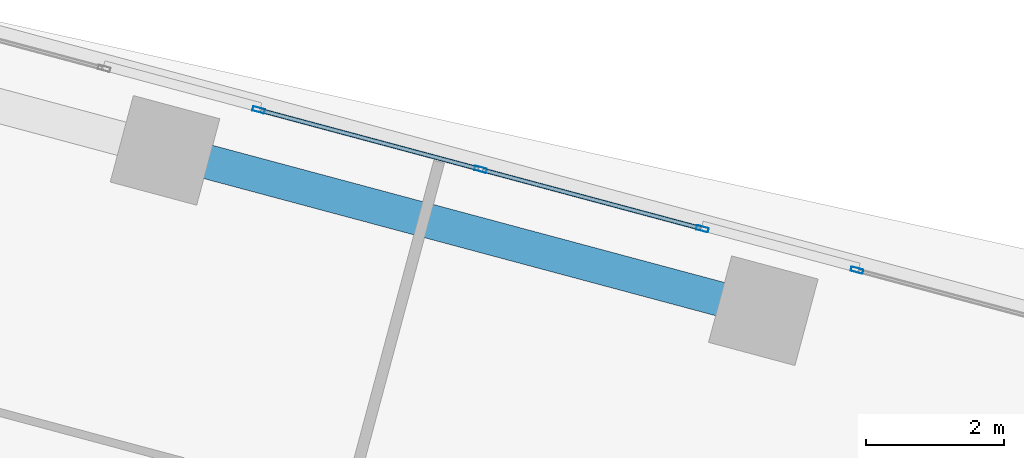
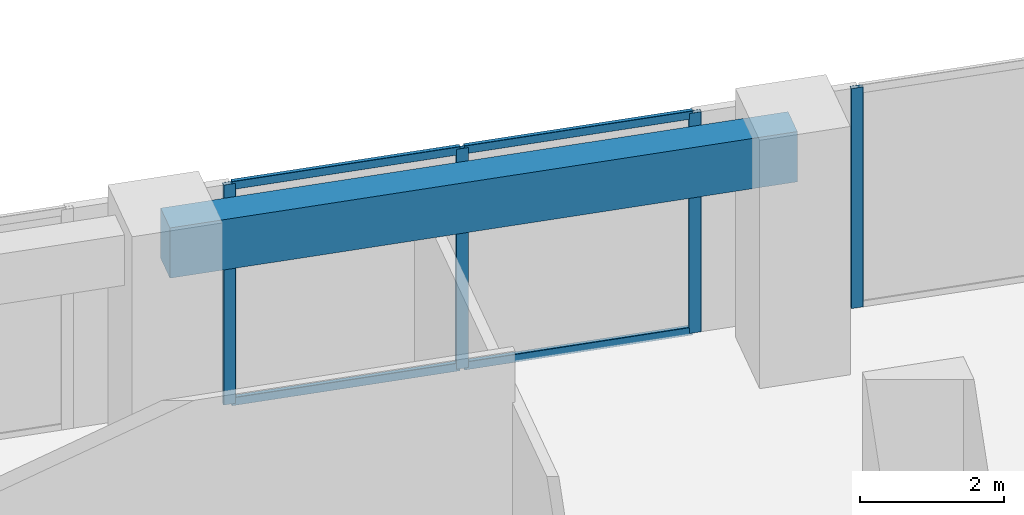
# One storey, part 16 of 26: 8 members, 1 beam, 2 elements without a shape of their own.
"""IFC4 building model written with IfcOpenShell, lengths in metres."""

from ifc_helpers import new_model, si_unit, direction, frame, origin, origin_2d, place, context, subcontext, project, spatial, rectangle, hollow_rectangle, extrude, source, transform, mapped, material, material_profile, profile_set, type_object, element, aggregate, save


model = new_model("IFC4")

# Units and contexts
model_context = context("Model", 3, precision=1e-05, world=origin(), true_north=direction((0.0, 1.0)))
body_context = subcontext(model_context, "Body", "Model", "MODEL_VIEW")
ifc_project = project(units=[si_unit("LENGTHUNIT", "METRE"), si_unit("AREAUNIT", "SQUARE_METRE"), si_unit("VOLUMEUNIT", "CUBIC_METRE"), si_unit("PLANEANGLEUNIT", "RADIAN"), si_unit("MASSUNIT", "GRAM", prefix="KILO")], contexts=[model_context])

# Site, building, storey
site_placement = place(None, origin())
site = spatial("IfcSite", under=ifc_project, at=site_placement, CompositionType="ELEMENT")
building_placement = place(site_placement, origin())
building = spatial("IfcBuilding", under=site, at=building_placement, Name="Torre Montelarca", CompositionType="ELEMENT")
storey_placement = place(building_placement, frame((0.0, 0.0, 100.0)))
storey = spatial("IfcBuildingStorey", under=building, at=storey_placement, Name="L22", CompositionType="ELEMENT", Elevation=100.0)

# Beam
ifc_material_1 = material(Name="Concrete C55/67", Category="concrete")
ifc_material_profile_1 = material_profile(ifc_material_1, rectangle(XDim=0.5, YDim=0.85009765625, at=origin_2d()), Name="RCB500X850", Category="concrete")
ifc_profile_set_1 = profile_set([ifc_material_profile_1], Name="Concrete C55/67")
beam_type = type_object("IfcBeamType", Name="BM-SP-RC850-EXT", PredefinedType="SPANDREL", material=ifc_profile_set_1)
shared_shape_1 = source(origin(), body_context, "Body", "SweptSolid", [
    extrude(rectangle(XDim=0.5, YDim=0.85009765625, at=origin_2d()), origin(), (0.0, 0.0, 1.0), 9.0),
])
beam_placement = place(storey_placement, frame((30.733642578125, 45.210205078125, 3.534912109375), z_axis=(0.965926740751, -0.25881563226, 0.0), x_axis=(0.25881563226, 0.965926740751, 0.0)))
element("IfcBeam", 1, at=beam_placement, inside=storey, type_object=beam_type, Name="L22 Grid Girder X 27.0-36.0 at Y=47.1", PredefinedType="SPANDREL", context=body_context, shape_type="MappedRepresentation", body=[
    mapped(shared_shape_1, transform((0.0, 0.0, 0.0), scale=1.0)),
])

# Curtain wall, members
ifc_material_2 = material(Name="Insulated low-E laminated glass", Category="glass")
curtain_wall_type = type_object("IfcCurtainWallType", Name="CW-SYS-Z1", PredefinedType="USERDEFINED", material=ifc_material_2)
curtain_wall_1_placement = place(storey_placement, origin())
curtain_wall_1 = element("IfcCurtainWall", 2, at=curtain_wall_1_placement, inside=storey, type_object=curtain_wall_type, Name="L22 Curtain Wall Run CW-T3-L22-E08-B2", ObjectType="UNITISED GLAZING", PredefinedType="USERDEFINED")
ifc_material_3 = material(Name="Anodised aluminium AA 6063-T6", Category="aluminium")
ifc_material_profile_2 = material_profile(ifc_material_3, hollow_rectangle(XDim=0.06494140625, YDim=0.139892578125, WallThickness=0.00390625, InnerFilletRadius=0.00390625, OuterFilletRadius=0.008056640625, at=origin_2d()), Name="ALU65X140X4", Category="aluminium")
ifc_profile_set_2 = profile_set([ifc_material_profile_2], Name="Anodised aluminium AA 6063-T6")
member_type_1 = type_object("IfcMemberType", Name="CWT-ALU140", PredefinedType="USERDEFINED", material=ifc_profile_set_2)
shared_shape_2 = source(origin(), body_context, "Body", "SweptSolid", [
    extrude(hollow_rectangle(XDim=0.06494140625, YDim=0.139892578125, WallThickness=0.00390625, InnerFilletRadius=0.00390625, OuterFilletRadius=0.008056640625, at=origin_2d()), origin(), (0.0, 0.0, 1.0), 3.272705078125),
])
member_1_placement = place(storey_placement, frame((35.287109375, 44.942626953125, 0.032470703125), z_axis=(-0.965914750052, 0.258860378644, 0.0), x_axis=(-0.258860378644, -0.965914750052, 0.0)))
member_1 = element("IfcMember", 3, at=member_1_placement, type_object=member_type_1, Name="CW transom 2.1", ObjectType="TRANSOM", PredefinedType="USERDEFINED", context=body_context, shape_type="MappedRepresentation", body=[
    mapped(shared_shape_2, transform((0.0, 0.0, 0.0), scale=1.0)),
])
member_2_placement = place(storey_placement, frame((35.287109375, 44.942626953125, 3.6875), z_axis=(-0.965914750052, 0.258860378644, 0.0), x_axis=(-0.258860378644, -0.965914750052, 0.0)))
member_2 = element("IfcMember", 4, at=member_2_placement, type_object=member_type_1, Name="CW transom 2.2", ObjectType="TRANSOM", PredefinedType="USERDEFINED", context=body_context, shape_type="MappedRepresentation", body=[
    mapped(shared_shape_2, transform((0.0, 0.0, 0.0), scale=1.0)),
])
shared_shape_3 = source(origin(), body_context, "Body", "SweptSolid", [
    extrude(hollow_rectangle(XDim=0.06494140625, YDim=0.139892578125, WallThickness=0.00390625, InnerFilletRadius=0.00390625, OuterFilletRadius=0.008056640625, at=origin_2d()), origin(), (0.0, 0.0, 1.0), 3.2724609375),
])
member_3_placement = place(storey_placement, frame((38.5107421875, 44.078857421875, 0.032470703125), z_axis=(-0.965928403786, 0.258809425561, 0.0), x_axis=(-0.258809425561, -0.965928403786, 0.0)))
member_3 = element("IfcMember", 5, at=member_3_placement, type_object=member_type_1, Name="CW transom 1.1", ObjectType="TRANSOM", PredefinedType="USERDEFINED", context=body_context, shape_type="MappedRepresentation", body=[
    mapped(shared_shape_3, transform((0.0, 0.0, 0.0), scale=1.0)),
])
member_4_placement = place(storey_placement, frame((38.5107421875, 44.078857421875, 3.6875), z_axis=(-0.965928403786, 0.258809425561, 0.0), x_axis=(-0.258809425561, -0.965928403786, 0.0)))
member_4 = element("IfcMember", 6, at=member_4_placement, type_object=member_type_1, Name="CW transom 1.2", ObjectType="TRANSOM", PredefinedType="USERDEFINED", context=body_context, shape_type="MappedRepresentation", body=[
    mapped(shared_shape_3, transform((0.0, 0.0, 0.0), scale=1.0)),
])

# Curtain wall, member
curtain_wall_2_placement = place(storey_placement, origin())
curtain_wall_2 = element("IfcCurtainWall", 7, at=curtain_wall_2_placement, inside=storey, type_object=curtain_wall_type, Name="L22 Curtain Wall Run CW-T3-L22-E08-B1", ObjectType="UNITISED GLAZING", PredefinedType="USERDEFINED")
ifc_material_profile_3 = material_profile(ifc_material_3, hollow_rectangle(XDim=0.06494140625, YDim=0.179931640625, WallThickness=0.00390625, InnerFilletRadius=0.00390625, OuterFilletRadius=0.008056640625, at=origin_2d()), Name="ALU65X180X4", Category="aluminium")
ifc_profile_set_3 = profile_set([ifc_material_profile_3], Name="Anodised aluminium AA 6063-T6")
member_type_2 = type_object("IfcMemberType", Name="CWM-ALU180", PredefinedType="MULLION", material=ifc_profile_set_3)
shared_shape_4 = source(origin(), body_context, "Body", "SweptSolid", [
    extrude(hollow_rectangle(XDim=0.06494140625, YDim=0.179931640625, WallThickness=0.00390625, InnerFilletRadius=0.00390625, OuterFilletRadius=0.008056640625, at=origin_2d()), origin(), (0.0, 0.0, 1.0), 3.719970703125),
])
member_5_placement = place(storey_placement, frame((40.7880859375, 43.46875, 0.0), z_axis=(0.0, 0.0, 1.0), x_axis=(-0.258818066495, -0.965926088506, 0.0)))
member_5 = element("IfcMember", 8, at=member_5_placement, type_object=member_type_2, Name="CW mullion 3", PredefinedType="MULLION", context=body_context, shape_type="MappedRepresentation", body=[
    mapped(shared_shape_4, transform((0.0, 0.0, 0.0), scale=1.0)),
])
aggregate(curtain_wall_2, [member_5])

# Member
member_6_placement = place(storey_placement, frame((38.542236328125, 44.070556640625, 0.0), z_axis=(0.0, 0.0, 1.0), x_axis=(-0.25881494376, -0.965926925231, 0.0)))
member_6 = element("IfcMember", 9, at=member_6_placement, type_object=member_type_2, Name="CW mullion 1", PredefinedType="MULLION", context=body_context, shape_type="MappedRepresentation", body=[
    mapped(shared_shape_4, transform((0.0, 0.0, 0.0), scale=1.0)),
])

member_7_placement = place(storey_placement, frame((35.318359375, 44.934326171875, 0.0), z_axis=(0.0, 0.0, 1.0), x_axis=(-0.25881494376, -0.965926925231, 0.0)))
member_7 = element("IfcMember", 10, at=member_7_placement, type_object=member_type_2, Name="CW mullion 2", PredefinedType="MULLION", context=body_context, shape_type="MappedRepresentation", body=[
    mapped(shared_shape_4, transform((0.0, 0.0, 0.0), scale=1.0)),
])

member_8_placement = place(storey_placement, frame((32.0947265625, 45.798095703125, 0.0), z_axis=(0.0, 0.0, 1.0), x_axis=(-0.25881494376, -0.965926925231, 0.0)))
member_8 = element("IfcMember", 11, at=member_8_placement, type_object=member_type_2, Name="CW mullion 3", PredefinedType="MULLION", context=body_context, shape_type="MappedRepresentation", body=[
    mapped(shared_shape_4, transform((0.0, 0.0, 0.0), scale=1.0)),
])

aggregate(curtain_wall_1, [member_6, member_7, member_8, member_3, member_4, member_1, member_2])

save(model, "model.ifc")
